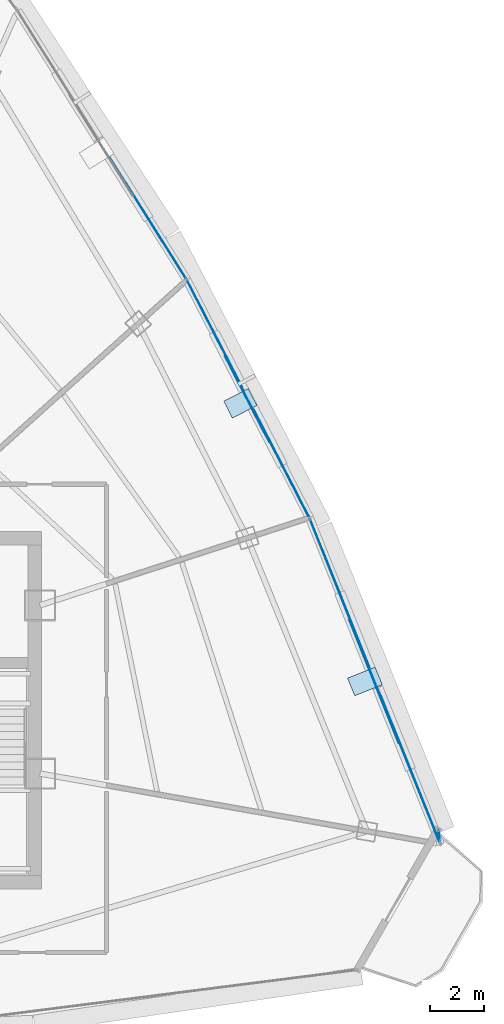
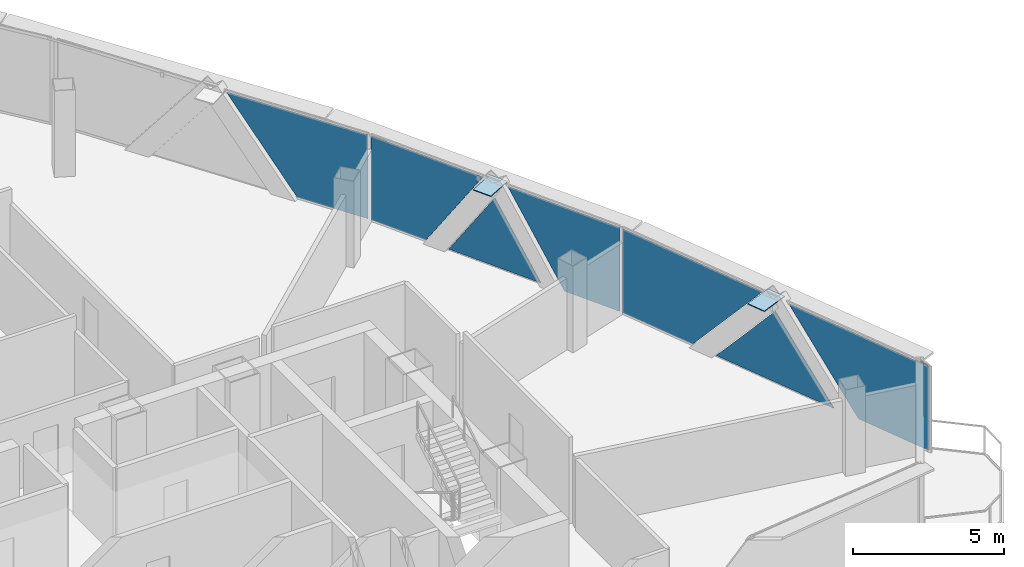
# One storey, part 24 of 30: 10 plates, 4 elements without a shape of their own.
"""IFC4 building model written with IfcOpenShell, lengths in metres."""

from ifc_helpers import new_model, si_unit, direction, frame, origin, origin_2d, place, context, subcontext, project, spatial, polyline, rectangle, outline, extrude, source, transform, mapped, material, layer, layer_set, type_object, element, aggregate, save


model = new_model("IFC4")

# Units and contexts
model_context = context("Model", 3, precision=1e-05, world=origin(), true_north=direction((0.0, 1.0)))
body_context = subcontext(model_context, "Body", "Model", "MODEL_VIEW")
ifc_project = project(units=[si_unit("LENGTHUNIT", "METRE"), si_unit("AREAUNIT", "SQUARE_METRE"), si_unit("VOLUMEUNIT", "CUBIC_METRE"), si_unit("PLANEANGLEUNIT", "RADIAN"), si_unit("MASSUNIT", "GRAM", prefix="KILO"), si_unit("THERMODYNAMICTEMPERATUREUNIT", "KELVIN"), si_unit("POWERUNIT", "WATT")], contexts=[model_context])

# Site, building, storey
site_placement = place(None, origin())
site = spatial("IfcSite", under=ifc_project, at=site_placement, CompositionType="ELEMENT")
building_placement = place(site_placement, origin())
building = spatial("IfcBuilding", under=site, at=building_placement, Name="Yunzhuo Pagoda Commons", CompositionType="ELEMENT")
storey_placement = place(building_placement, frame((0.0, 0.0, 355.510009765625)))
storey = spatial("IfcBuildingStorey", under=building, at=storey_placement, Name="L89", CompositionType="ELEMENT", Elevation=355.510009765625)

# Curtain wall, plates
ifc_material_1 = material(Name="Anodized aluminium 6063-T6", Category="aluminium")
ifc_layer_1 = layer(ifc_material_1, 0.139892578125)
ifc_layer_set_1 = layer_set([ifc_layer_1], Name="Anodized aluminium 6063-T6")
curtain_wall_type = type_object("IfcCurtainWallType", Name="CW-HI High-Zone Ribbon Curtain Wall", PredefinedType="NOTDEFINED", material=ifc_layer_set_1)
curtain_wall_1_placement = place(storey_placement, origin())
curtain_wall_1 = element("IfcCurtainWall", 1, at=curtain_wall_1_placement, inside=storey, type_object=curtain_wall_type, Name="L89 curtain wall CW-L89-F2B2", PredefinedType="NOTDEFINED")
ifc_material_2 = material(Name="Tempered low-e double glazing", Category="glass")
ifc_layer_2 = layer(ifc_material_2, 0.02587890625)
ifc_layer_set_2 = layer_set([ifc_layer_2], Name="Tempered low-e double glazing")
plate_type_1 = type_object("IfcPlateType", Name="CW-HI-P Low-E Double Glazing 26", PredefinedType="CURTAIN_PANEL", material=ifc_layer_set_2)
plate_1_placement = place(storey_placement, frame((74.06201171875, 31.68701171875, 1.744873046875), z_axis=(0.92803921175, 0.372482511608, 0.0), x_axis=(-0.372482511608, 0.92803921175, 0.0)))
plate_1 = element("IfcPlate", 2, at=plate_1_placement, type_object=plate_type_1, Name="CW panel 1.1 lite 1", PredefinedType="CURTAIN_PANEL", context=body_context, shape_type="SweptSolid", body=[
    extrude(outline(polyline([(-2.943115234375, -1.68994140625), (0.01513671875, -1.68994140625), (2.943115234375, 1.68994140625), (-2.943115234375, 1.68994140625), (-2.943115234375, -1.68994140625)])), origin(), (0.0, 0.0, 1.0), 0.028076171875),
])
plate_2_placement = place(storey_placement, frame((72.73291015625, 34.91796875, 1.482177734375), z_axis=(0.92803921175, 0.372482511608, 0.0), x_axis=(-0.372482511608, 0.92803921175, 0.0)))
plate_2 = element("IfcPlate", 3, at=plate_2_placement, type_object=plate_type_1, Name="CW panel 1.1 lite 2", PredefinedType="CURTAIN_PANEL", context=body_context, shape_type="SweptSolid", body=[
    extrude(outline(polyline([(-2.47265625, -1.42724609375), (2.47265625, -1.42724609375), (0.0, 1.42724609375), (-2.47265625, -1.42724609375)])), origin(), (0.0, 0.0, 1.0), 0.028076171875),
])
plate_3_placement = place(storey_placement, frame((71.45947265625, 38.171142578125, 1.744873046875), z_axis=(0.92803921175, 0.372482511608, 0.0), x_axis=(-0.372482511608, 0.92803921175, 0.0)))
plate_3 = element("IfcPlate", 4, at=plate_3_placement, type_object=plate_type_1, Name="CW panel 1.1 lite 3", PredefinedType="CURTAIN_PANEL", context=body_context, shape_type="SweptSolid", body=[
    extrude(outline(polyline([(-2.943115234375, 1.68994140625), (-0.01513671875, -1.68994140625), (2.943115234375, -1.68994140625), (2.943115234375, 1.68994140625), (-2.943115234375, 1.68994140625)])), origin(), (0.0, 0.0, 1.0), 0.028076171875),
])
aggregate(curtain_wall_1, [plate_1, plate_2, plate_3])

curtain_wall_2_placement = place(storey_placement, origin())
curtain_wall_2 = element("IfcCurtainWall", 5, at=curtain_wall_2_placement, inside=storey, type_object=curtain_wall_type, Name="L89 curtain wall CW-L89-F2B3", PredefinedType="NOTDEFINED")
plate_4_placement = place(storey_placement, frame((69.307861328125, 42.961669921875, 1.744873046875), z_axis=(0.888845723113, 0.458206591511, 0.0), x_axis=(-0.458206591511, 0.888845723113, 0.0)))
plate_4 = element("IfcPlate", 6, at=plate_4_placement, type_object=plate_type_1, Name="CW panel 1.1 lite 1", PredefinedType="CURTAIN_PANEL", context=body_context, shape_type="SweptSolid", body=[
    extrude(outline(polyline([(-2.195556640625, -1.68994140625), (-0.031982421875, -1.68994140625), (2.195556640625, 1.68994140625), (-2.195556640625, 1.68994140625), (-2.195556640625, -1.68994140625)])), origin(), (0.0, 0.0, 1.0), 0.028076171875),
])
plate_5_placement = place(storey_placement, frame((68.050048828125, 45.336181640625, 1.42724609375), z_axis=(0.888845723113, 0.458206591511, 0.0), x_axis=(-0.458206591511, 0.888845723113, 0.0)))
plate_5 = element("IfcPlate", 7, at=plate_5_placement, type_object=plate_type_1, Name="CW panel 1.1 lite 2", PredefinedType="CURTAIN_PANEL", context=body_context, shape_type="SweptSolid", body=[
    extrude(outline(polyline([(-1.80859375, -1.372314453125), (1.80859375, -1.372314453125), (0.0, 1.372314453125), (-1.80859375, -1.372314453125)])), origin(), (0.0, 0.0, 1.0), 0.028076171875),
])
plate_6_placement = place(storey_placement, frame((66.845458984375, 47.738037109375, 1.744873046875), z_axis=(0.888845723113, 0.458206591511, 0.0), x_axis=(-0.458206591511, 0.888845723113, 0.0)))
plate_6 = element("IfcPlate", 8, at=plate_6_placement, type_object=plate_type_1, Name="CW panel 1.1 lite 3", PredefinedType="CURTAIN_PANEL", context=body_context, shape_type="SweptSolid", body=[
    extrude(outline(polyline([(-2.195556640625, 1.68994140625), (0.031982421875, -1.68994140625), (2.195556640625, -1.68994140625), (2.195556640625, 1.68994140625), (-2.195556640625, 1.68994140625)])), origin(), (0.0, 0.0, 1.0), 0.028076171875),
])
aggregate(curtain_wall_2, [plate_4, plate_5, plate_6])

# Curtain wall, plate
curtain_wall_3_placement = place(storey_placement, origin())
curtain_wall_3 = element("IfcCurtainWall", 9, at=curtain_wall_3_placement, inside=storey, type_object=curtain_wall_type, Name="L89 curtain wall CW-L89-F2B4", PredefinedType="NOTDEFINED")
plate_7_placement = place(storey_placement, frame((64.37353515625, 52.030029296875, 1.744873046875), z_axis=(0.846524621891, 0.532349569861, 0.0), x_axis=(-0.532349569861, 0.846524621891, 0.0)))
plate_7 = element("IfcPlate", 10, at=plate_7_placement, type_object=plate_type_1, Name="CW panel 1.1 lite 1", PredefinedType="CURTAIN_PANEL", context=body_context, shape_type="SweptSolid", body=[
    extrude(outline(polyline([(-2.643310546875, -1.68994140625), (-0.003173828125, -1.68994140625), (2.643310546875, 1.68994140625), (-2.643310546875, 1.68994140625), (-2.643310546875, -1.68994140625)])), origin(), (0.0, 0.0, 1.0), 0.028076171875),
])
aggregate(curtain_wall_3, [plate_7])

# Plates
ifc_material_3 = material(Name="Structural steel Q355B", Category="steel")
ifc_layer_3 = layer(ifc_material_3, 0.028076171875)
ifc_layer_set_3 = layer_set([ifc_layer_3], Name="Structural steel Q355B")
plate_type_2 = type_object("IfcPlateType", Name="SP-ND1 Lattice Node Cap Plate 800x500x28", PredefinedType="USERDEFINED", material=ifc_layer_set_3)
shared_shape_1 = source(origin(), body_context, "Body", "SweptSolid", [
    extrude(rectangle(XDim=0.699951171875, YDim=1.09765625, at=origin_2d()), origin(), (0.0, 0.0, 1.0), 0.035888671875),
])
plate_8_placement = place(storey_placement, frame((72.400146484375, 34.918701171875, 3.4521484375), z_axis=(0.0, 0.0, 1.0), x_axis=(-0.372485720283, 0.928037923894, 0.0)))
element("IfcPlate", 11, at=plate_8_placement, inside=storey, type_object=plate_type_2, Name="L89 setback lattice tie plate F2.1L", ObjectType="STIFFENER_PLATE", PredefinedType="USERDEFINED", context=body_context, shape_type="MappedRepresentation", body=[
    mapped(shared_shape_1, transform((0.0, 0.0, 0.0), scale=1.0)),
])
shared_shape_2 = source(origin(), body_context, "Body", "SweptSolid", [
    extrude(rectangle(XDim=0.699951171875, YDim=1.01953125, at=origin_2d()), origin(), (0.0, 0.0, 1.0), 0.035888671875),
])
plate_9_placement = place(storey_placement, frame((67.79931640625, 45.188720703125, 3.4521484375), z_axis=(0.0, 0.0, 1.0), x_axis=(-0.458199726156, 0.888849262221, 0.0)))
element("IfcPlate", 12, at=plate_9_placement, inside=storey, type_object=plate_type_2, Name="L89 setback lattice tie plate F2.2L", ObjectType="STIFFENER_PLATE", PredefinedType="USERDEFINED", context=body_context, shape_type="MappedRepresentation", body=[
    mapped(shared_shape_2, transform((0.0, 0.0, 0.0), scale=1.0)),
])

# Curtain wall, plate
curtain_wall_4_placement = place(storey_placement, origin())
curtain_wall_4 = element("IfcCurtainWall", 13, at=curtain_wall_4_placement, inside=storey, type_object=curtain_wall_type, Name="L89 curtain wall CW-L89-F2B1", PredefinedType="NOTDEFINED")
shared_shape_3 = source(origin(), body_context, "Body", "SweptSolid", [
    extrude(rectangle(XDim=0.380126953125, YDim=0.028076171875, at=origin_2d()), origin(), (0.0, 0.0, 1.0), 3.3798828125),
])
plate_10_placement = place(storey_placement, frame((75.14453125, 29.226318359375, 0.054931640625), z_axis=(0.0, 0.0, 1.0), x_axis=(0.150374017607, -0.988629179637, 0.0)))
plate_10 = element("IfcPlate", 14, at=plate_10_placement, type_object=plate_type_1, Name="CW panel 1.1", PredefinedType="CURTAIN_PANEL", context=body_context, shape_type="MappedRepresentation", body=[
    mapped(shared_shape_3, transform((0.0, 0.0, 0.0), scale=1.0)),
])
aggregate(curtain_wall_4, [plate_10])

save(model, "model.ifc")
